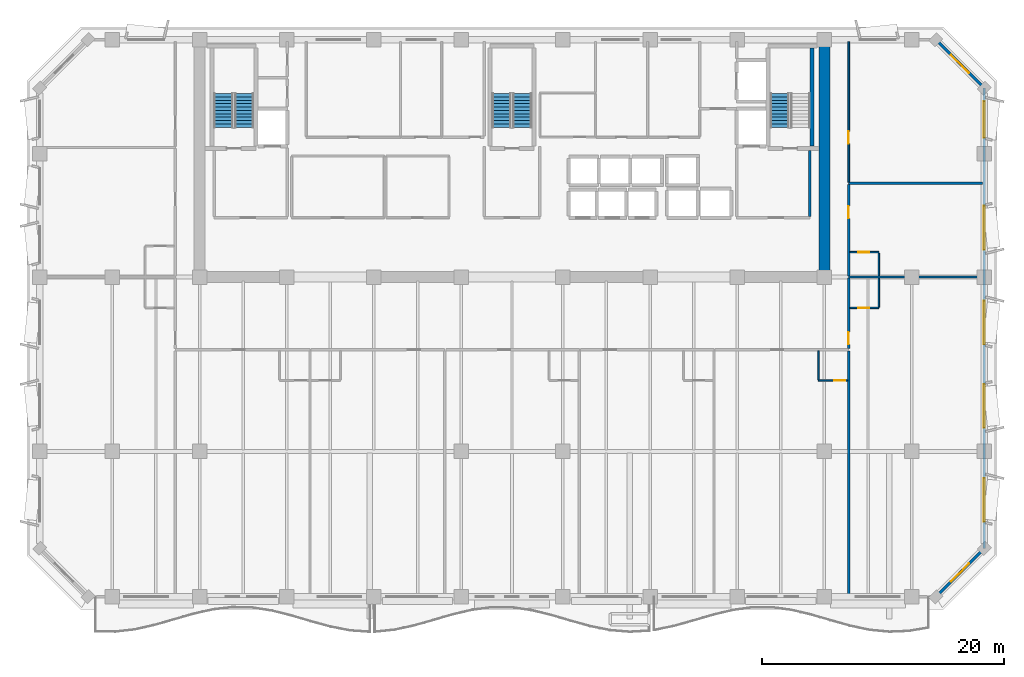
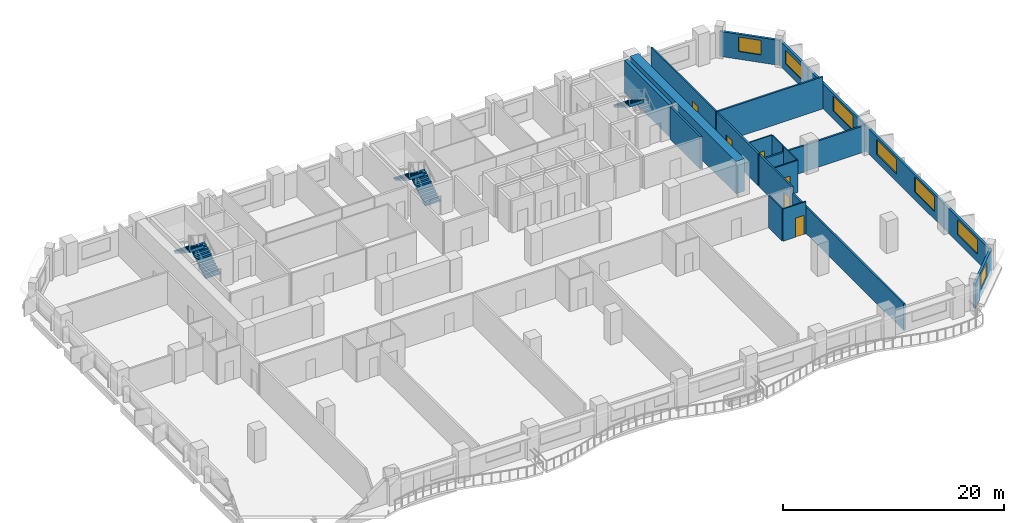
# One storey, part 8 of 14: 18 walls, 7 windows, 6 doors, 5 stair flights, 13 openings, 3 elements without a shape of their own.
"""IFC4 building model written with IfcOpenShell, lengths in metres."""

from ifc_helpers import new_model, si_unit, direction, frame, frame_2d, origin, place, context, subcontext, project, spatial, polyline, rectangle, outline, extrude, material, layer, layer_set, type_object, element, fill, aggregate, save


model = new_model("IFC4")

# Units and contexts
model_context = context("Model", 3, precision=1e-05, world=origin(), true_north=direction((0.0, 1.0)))
body_context = subcontext(model_context, "Body", "Model", "MODEL_VIEW")
ifc_project = project(units=[si_unit("LENGTHUNIT", "METRE"), si_unit("AREAUNIT", "SQUARE_METRE"), si_unit("VOLUMEUNIT", "CUBIC_METRE"), si_unit("PLANEANGLEUNIT", "RADIAN"), si_unit("MASSUNIT", "GRAM", prefix="KILO")], contexts=[model_context])

# Site, building, storey
site_placement = place(None, origin())
site = spatial("IfcSite", under=ifc_project, at=site_placement, CompositionType="ELEMENT")
building_placement = place(site_placement, origin())
building = spatial("IfcBuilding", under=site, at=building_placement, Name="Kaelvorn Grand Hotel", CompositionType="ELEMENT")
storey_placement = place(building_placement, frame((0.0, 0.0, 209.14990234375)))
storey = spatial("IfcBuildingStorey", under=building, at=storey_placement, Name="L51", CompositionType="ELEMENT", Elevation=209.14990234375)

# Wall
ifc_material_1 = material(Name="Concrete C60/75", Category="concrete")
ifc_layer_1 = layer(ifc_material_1, 0.89990234375)
ifc_layer_set_1 = layer_set([ifc_layer_1], Name="Concrete C60/75")
wall_type_1 = type_object("IfcWallType", Name="WL-CORE-900-C60", PredefinedType="SHEAR", material=ifc_layer_set_1)
wall_1_placement = place(storey_placement, frame((67.800048828125, 29.39990234375, 0.0), z_axis=(0.0, 0.0, 1.0), x_axis=(0.0, 1.0, 0.0)))
element("IfcWall", 1, at=wall_1_placement, inside=storey, type_object=wall_type_1, Name="L51 Rear-Core East Shear Wall", PredefinedType="SHEAR", context=body_context, shape_type="SweptSolid", body=[
    extrude(rectangle(XDim=19.2001953125, YDim=0.89990234375, at=frame_2d((9.60009765625, 0.0))), origin(), (0.0, 0.0, 1.0), 3.56005859375),
])

# Wall, opening, window
ifc_material_2 = material(Name="Concrete C40/50", Category="concrete")
ifc_layer_2 = layer(ifc_material_2, 0.239990234375)
ifc_layer_set_2 = layer_set([ifc_layer_2], Name="Concrete C40/50")
wall_type_2 = type_object("IfcWallType", Name="WL-EXT-240-C40", PredefinedType="SOLIDWALL", material=ifc_layer_set_2)
wall_2_placement = place(storey_placement, frame((77.0, 3.0, 0.0), z_axis=(0.0, 0.0, 1.0), x_axis=(0.707106781187, 0.707106781187, 0.0)))
wall_2 = element("IfcWall", 2, at=wall_2_placement, inside=storey, type_object=wall_type_2, Name="L51 Exterior Architectural Concrete Wall 02", PredefinedType="SOLIDWALL", context=body_context, shape_type="SweptSolid", body=[
    extrude(rectangle(XDim=5.65673828125, YDim=0.239990234375, at=frame_2d((2.828369140625, 0.0))), origin(), (0.0, 0.0, 1.0), 2.760009765625),
])
opening_1_placement = place(wall_2_placement, frame((1.7783203125, 0.0, 0.85009765625)))
opening_1 = element("IfcOpeningElement", 3, at=opening_1_placement, cuts=wall_2, Name="Opening W7", PredefinedType="OPENING", context=body_context, shape_type="SweptSolid", body=[
    extrude(rectangle(XDim=2.10009765625, YDim=1.60009765625, at=frame_2d((1.050048828125, 0.800048828125))), frame((0.0, 0.1298828125, 0.0), z_axis=(0.0, -1.0, 0.0), x_axis=(1.0, 0.0, 0.0)), (0.0, 0.0, 1.0), 0.260009765625),
])
ifc_material_3 = material(Name="Laminated Low-E Glass", Category="glass")
window_type_1 = type_object("IfcWindowType", Name="WIN-CHM-2100x1600", PartitioningType="SINGLE_PANEL", PredefinedType="WINDOW", material=ifc_material_3)
window_1_placement = place(opening_1_placement, origin())
window_1 = element("IfcWindow", 4, at=window_1_placement, inside=storey, type_object=window_type_1, Name="L51 Chamfered 45-Degree Corner Window SE", OverallHeight=1.60009765625, OverallWidth=2.10009765625, PartitioningType="SINGLE_PANEL", PredefinedType="WINDOW", context=body_context, shape_type="SweptSolid", body=[
    extrude(rectangle(XDim=2.10009765625, YDim=1.60009765625, at=frame_2d((1.050048828125, 0.800048828125))), frame((0.0, 0.030029296875, 0.0), z_axis=(0.0, -1.0, 0.0), x_axis=(1.0, 0.0, 0.0)), (0.0, 0.0, 1.0), 0.06005859375),
])
fill(opening_1, window_1)

# Wall, openings, windows
wall_3_placement = place(storey_placement, frame((81.0, 7.0, 0.0), z_axis=(0.0, 0.0, 1.0), x_axis=(0.0, 1.0, 0.0)))
wall_3 = element("IfcWall", 5, at=wall_3_placement, inside=storey, type_object=wall_type_2, Name="L51 Exterior Architectural Concrete Wall 03", PredefinedType="SOLIDWALL", context=body_context, shape_type="SweptSolid", body=[
    extrude(rectangle(XDim=38.0, YDim=0.239990234375, at=frame_2d((19.0, 0.0))), origin(), (0.0, 0.0, 1.0), 2.760009765625),
])
opening_2_placement = place(wall_3_placement, frame((2.199951171875, 0.0, 0.85009765625)))
opening_2 = element("IfcOpeningElement", 6, at=opening_2_placement, cuts=wall_3, Name="Opening W3", PredefinedType="OPENING", context=body_context, shape_type="SweptSolid", body=[
    extrude(rectangle(XDim=3.60009765625, YDim=1.64990234375, at=frame_2d((1.800048828125, 0.824951171875))), frame((0.0, 0.1298828125, 0.0), z_axis=(0.0, -1.0, 0.0), x_axis=(1.0, 0.0, 0.0)), (0.0, 0.0, 1.0), 0.260009765625),
])
opening_3_placement = place(wall_3_placement, frame((9.965087890625, 0.0, 0.85009765625)))
opening_3 = element("IfcOpeningElement", 7, at=opening_3_placement, cuts=wall_3, Name="Opening W3", PredefinedType="OPENING", context=body_context, shape_type="SweptSolid", body=[
    extrude(rectangle(XDim=3.60009765625, YDim=1.64990234375, at=frame_2d((1.800048828125, 0.824951171875))), frame((0.0, 0.1298828125, 0.0), z_axis=(0.0, -1.0, 0.0), x_axis=(1.0, 0.0, 0.0)), (0.0, 0.0, 1.0), 0.260009765625),
])
opening_4_placement = place(wall_3_placement, frame((16.8349609375, 0.0, 0.85009765625)))
opening_4 = element("IfcOpeningElement", 8, at=opening_4_placement, cuts=wall_3, Name="Opening W3", PredefinedType="OPENING", context=body_context, shape_type="SweptSolid", body=[
    extrude(rectangle(XDim=3.60009765625, YDim=1.64990234375, at=frame_2d((1.800048828125, 0.824951171875))), frame((0.0, 0.1298828125, 0.0), z_axis=(0.0, -1.0, 0.0), x_axis=(1.0, 0.0, 0.0)), (0.0, 0.0, 1.0), 0.260009765625),
])
opening_5_placement = place(wall_3_placement, frame((24.675048828125, 0.0, 0.85009765625)))
opening_5 = element("IfcOpeningElement", 9, at=opening_5_placement, cuts=wall_3, Name="Opening W3", PredefinedType="OPENING", context=body_context, shape_type="SweptSolid", body=[
    extrude(rectangle(XDim=3.60009765625, YDim=1.64990234375, at=frame_2d((1.800048828125, 0.824951171875))), frame((0.0, 0.1298828125, 0.0), z_axis=(0.0, -1.0, 0.0), x_axis=(1.0, 0.0, 0.0)), (0.0, 0.0, 1.0), 0.260009765625),
])
opening_6_placement = place(wall_3_placement, frame((33.9150390625, 0.0, 0.85009765625)))
opening_6 = element("IfcOpeningElement", 10, at=opening_6_placement, cuts=wall_3, Name="Opening W5", PredefinedType="OPENING", context=body_context, shape_type="SweptSolid", body=[
    extrude(rectangle(XDim=3.0, YDim=1.5, at=frame_2d((1.5, 0.75))), frame((0.0, 0.1298828125, 0.0), z_axis=(0.0, -1.0, 0.0), x_axis=(1.0, 0.0, 0.0)), (0.0, 0.0, 1.0), 0.260009765625),
])
window_type_2 = type_object("IfcWindowType", Name="WIN-NTH-3000x1500", PartitioningType="SINGLE_PANEL", PredefinedType="WINDOW", material=ifc_material_3)
window_2_placement = place(opening_6_placement, origin())
window_2 = element("IfcWindow", 11, at=window_2_placement, inside=storey, type_object=window_type_2, Name="L51 E Wing Tilted-Frame Ribbon Window E05", OverallHeight=1.5, OverallWidth=3.0, PartitioningType="SINGLE_PANEL", PredefinedType="WINDOW", context=body_context, shape_type="SweptSolid", body=[
    extrude(rectangle(XDim=3.0, YDim=1.5, at=frame_2d((1.5, 0.75))), frame((0.0, 0.030029296875, 0.0), z_axis=(0.0, -1.0, 0.0), x_axis=(1.0, 0.0, 0.0)), (0.0, 0.0, 1.0), 0.06005859375),
])
fill(opening_6, window_2)
window_type_3 = type_object("IfcWindowType", Name="WIN-RIB-3600x1750", PartitioningType="SINGLE_PANEL", PredefinedType="WINDOW", material=ifc_material_3)
window_3_placement = place(opening_2_placement, origin())
window_3 = element("IfcWindow", 12, at=window_3_placement, inside=storey, type_object=window_type_3, Name="L51 E Wing Tilted-Frame Ribbon Window E01", OverallHeight=1.64990234375, OverallWidth=3.60009765625, PartitioningType="SINGLE_PANEL", PredefinedType="WINDOW", context=body_context, shape_type="SweptSolid", body=[
    extrude(rectangle(XDim=3.60009765625, YDim=1.64990234375, at=frame_2d((1.800048828125, 0.824951171875))), frame((0.0, 0.030029296875, 0.0), z_axis=(0.0, -1.0, 0.0), x_axis=(1.0, 0.0, 0.0)), (0.0, 0.0, 1.0), 0.06005859375),
])
fill(opening_2, window_3)
window_4_placement = place(opening_3_placement, origin())
window_4 = element("IfcWindow", 13, at=window_4_placement, inside=storey, type_object=window_type_3, Name="L51 E Wing Tilted-Frame Ribbon Window E02", OverallHeight=1.64990234375, OverallWidth=3.60009765625, PartitioningType="SINGLE_PANEL", PredefinedType="WINDOW", context=body_context, shape_type="SweptSolid", body=[
    extrude(rectangle(XDim=3.60009765625, YDim=1.64990234375, at=frame_2d((1.800048828125, 0.824951171875))), frame((0.0, 0.030029296875, 0.0), z_axis=(0.0, -1.0, 0.0), x_axis=(1.0, 0.0, 0.0)), (0.0, 0.0, 1.0), 0.06005859375),
])
fill(opening_3, window_4)
window_5_placement = place(opening_4_placement, origin())
window_5 = element("IfcWindow", 14, at=window_5_placement, inside=storey, type_object=window_type_3, Name="L51 E Wing Tilted-Frame Ribbon Window E03", OverallHeight=1.64990234375, OverallWidth=3.60009765625, PartitioningType="SINGLE_PANEL", PredefinedType="WINDOW", context=body_context, shape_type="SweptSolid", body=[
    extrude(rectangle(XDim=3.60009765625, YDim=1.64990234375, at=frame_2d((1.800048828125, 0.824951171875))), frame((0.0, 0.030029296875, 0.0), z_axis=(0.0, -1.0, 0.0), x_axis=(1.0, 0.0, 0.0)), (0.0, 0.0, 1.0), 0.06005859375),
])
fill(opening_4, window_5)
window_6_placement = place(opening_5_placement, origin())
window_6 = element("IfcWindow", 15, at=window_6_placement, inside=storey, type_object=window_type_3, Name="L51 E Wing Tilted-Frame Ribbon Window E04", OverallHeight=1.64990234375, OverallWidth=3.60009765625, PartitioningType="SINGLE_PANEL", PredefinedType="WINDOW", context=body_context, shape_type="SweptSolid", body=[
    extrude(rectangle(XDim=3.60009765625, YDim=1.64990234375, at=frame_2d((1.800048828125, 0.824951171875))), frame((0.0, 0.030029296875, 0.0), z_axis=(0.0, -1.0, 0.0), x_axis=(1.0, 0.0, 0.0)), (0.0, 0.0, 1.0), 0.06005859375),
])
fill(opening_5, window_6)

# Wall, opening, window
wall_4_placement = place(storey_placement, frame((81.0, 45.0, 0.0), z_axis=(0.0, 0.0, 1.0), x_axis=(-0.707106781187, 0.707106781187, 0.0)))
wall_4 = element("IfcWall", 16, at=wall_4_placement, inside=storey, type_object=wall_type_2, Name="L51 Exterior Architectural Concrete Wall 04", PredefinedType="SOLIDWALL", context=body_context, shape_type="SweptSolid", body=[
    extrude(rectangle(XDim=5.65673828125, YDim=0.239990234375, at=frame_2d((2.828369140625, 0.0))), origin(), (0.0, 0.0, 1.0), 2.760009765625),
])
opening_7_placement = place(wall_4_placement, frame((1.7783203125, 0.0, 0.85009765625)))
opening_7 = element("IfcOpeningElement", 17, at=opening_7_placement, cuts=wall_4, Name="Opening W7", PredefinedType="OPENING", context=body_context, shape_type="SweptSolid", body=[
    extrude(rectangle(XDim=2.10009765625, YDim=1.60009765625, at=frame_2d((1.050048828125, 0.800048828125))), frame((0.0, 0.1298828125, 0.0), z_axis=(0.0, -1.0, 0.0), x_axis=(1.0, 0.0, 0.0)), (0.0, 0.0, 1.0), 0.260009765625),
])
window_7_placement = place(opening_7_placement, origin())
window_7 = element("IfcWindow", 18, at=window_7_placement, inside=storey, type_object=window_type_1, Name="L51 Chamfered 45-Degree Corner Window NE", OverallHeight=1.60009765625, OverallWidth=2.10009765625, PartitioningType="SINGLE_PANEL", PredefinedType="WINDOW", context=body_context, shape_type="SweptSolid", body=[
    extrude(rectangle(XDim=2.10009765625, YDim=1.60009765625, at=frame_2d((1.050048828125, 0.800048828125))), frame((0.0, 0.030029296875, 0.0), z_axis=(0.0, -1.0, 0.0), x_axis=(1.0, 0.0, 0.0)), (0.0, 0.0, 1.0), 0.06005859375),
])
fill(opening_7, window_7)

# Wall, opening, door
ifc_material_4 = material(Name="Moisture-Resistant Tile & Stud Board")
ifc_layer_3 = layer(ifc_material_4, 0.125)
ifc_layer_set_3 = layer_set([ifc_layer_3], Name="Moisture-Resistant Tile & Stud Board")
wall_type_3 = type_object("IfcWallType", Name="WL-PART-125-WET", PredefinedType="PARTITIONING", material=ifc_layer_set_3)
wall_5_placement = place(storey_placement, frame((67.300048828125, 20.85009765625, 0.0), z_axis=(0.0, 0.0, 1.0), x_axis=(1.0, 0.0, 0.0)))
wall_5 = element("IfcWall", 19, at=wall_5_placement, inside=storey, type_object=wall_type_3, Name="L51 En-suite Bathroom L51-05 S Partition", PredefinedType="PARTITIONING", context=body_context, shape_type="SweptSolid", body=[
    extrude(rectangle(XDim=2.405029296875, YDim=0.125, at=frame_2d((1.20263671875, 0.0))), origin(), (0.0, 0.0, 1.0), 3.56005859375),
])
opening_8_placement = place(wall_5_placement, frame((1.300048828125, 0.0, 0.0)))
opening_8 = element("IfcOpeningElement", 20, at=opening_8_placement, cuts=wall_5, Name="Opening DI4", PredefinedType="OPENING", context=body_context, shape_type="SweptSolid", body=[
    extrude(rectangle(XDim=0.89990234375, YDim=2.10009765625, at=frame_2d((0.449951171875, 1.050048828125))), frame((0.0, 0.072509765625, 0.0), z_axis=(0.0, -1.0, 0.0), x_axis=(1.0, 0.0, 0.0)), (0.0, 0.0, 1.0), 0.14501953125),
])
ifc_material_5 = material(Name="Timber Veneer Leaf", Category="wood")
door_type_1 = type_object("IfcDoorType", Name="DR-INT-BATH-900x2100", OperationType="NOTDEFINED", PredefinedType="DOOR", material=ifc_material_5)
door_1_placement = place(opening_8_placement, origin())
door_1 = element("IfcDoor", 21, at=door_1_placement, inside=storey, type_object=door_type_1, Name="L51 En-suite Bathroom L51-05 Door", OperationType="SINGLE_SWING_LEFT", OverallHeight=2.10009765625, OverallWidth=0.89990234375, PredefinedType="DOOR", context=body_context, shape_type="SweptSolid", body=[
    extrude(rectangle(XDim=0.89990234375, YDim=2.10009765625, at=frame_2d((0.449951171875, 1.050048828125))), frame((0.0, 0.02490234375, 0.0), z_axis=(0.0, -1.0, 0.0), x_axis=(1.0, 0.0, 0.0)), (0.0, 0.0, 1.0), 0.050048828125),
])
fill(opening_8, door_1)

# Wall
wall_6_placement = place(storey_placement, frame((67.300048828125, 20.91748046875, 0.0), z_axis=(0.0, 0.0, 1.0), x_axis=(0.0, 1.0, 0.0)))
element("IfcWall", 22, at=wall_6_placement, inside=storey, type_object=wall_type_3, Name="L51 En-suite Bathroom L51-05 W Partition", PredefinedType="PARTITIONING", context=body_context, shape_type="SweptSolid", body=[
    extrude(rectangle(XDim=2.387451171875, YDim=0.125, at=frame_2d((1.19384765625, 0.0))), origin(), (0.0, 0.0, 1.0), 3.56005859375),
])

# Wall, opening, door
wall_7_placement = place(storey_placement, frame((69.89501953125, 26.85009765625, 0.0), z_axis=(0.0, 0.0, 1.0), x_axis=(1.0, 0.0, 0.0)))
wall_7 = element("IfcWall", 23, at=wall_7_placement, inside=storey, type_object=wall_type_3, Name="L51 En-suite Bathroom L51-07 S Partition", PredefinedType="PARTITIONING", context=body_context, shape_type="SweptSolid", body=[
    extrude(rectangle(XDim=2.405029296875, YDim=0.125, at=frame_2d((1.20263671875, 0.0))), origin(), (0.0, 0.0, 1.0), 3.56005859375),
])
opening_9_placement = place(wall_7_placement, frame((0.705078125, 0.0, 0.0)))
opening_9 = element("IfcOpeningElement", 24, at=opening_9_placement, cuts=wall_7, Name="Opening DI4", PredefinedType="OPENING", context=body_context, shape_type="SweptSolid", body=[
    extrude(rectangle(XDim=0.89990234375, YDim=2.10009765625, at=frame_2d((0.449951171875, 1.050048828125))), frame((0.0, 0.072509765625, 0.0), z_axis=(0.0, -1.0, 0.0), x_axis=(1.0, 0.0, 0.0)), (0.0, 0.0, 1.0), 0.14501953125),
])
door_2_placement = place(opening_9_placement, origin())
door_2 = element("IfcDoor", 25, at=door_2_placement, inside=storey, type_object=door_type_1, Name="L51 En-suite Bathroom L51-07 Door", OperationType="SINGLE_SWING_LEFT", OverallHeight=2.10009765625, OverallWidth=0.89990234375, PredefinedType="DOOR", context=body_context, shape_type="SweptSolid", body=[
    extrude(rectangle(XDim=0.89990234375, YDim=2.10009765625, at=frame_2d((0.449951171875, 1.050048828125))), frame((0.0, 0.02490234375, 0.0), z_axis=(0.0, -1.0, 0.0), x_axis=(1.0, 0.0, 0.0)), (0.0, 0.0, 1.0), 0.050048828125),
])
fill(opening_9, door_2)

# Wall
wall_8_placement = place(storey_placement, frame((72.300048828125, 26.91748046875, 0.0), z_axis=(0.0, 0.0, 1.0), x_axis=(0.0, 1.0, 0.0)))
element("IfcWall", 26, at=wall_8_placement, inside=storey, type_object=wall_type_3, Name="L51 En-suite Bathroom L51-07 E Partition", PredefinedType="PARTITIONING", context=body_context, shape_type="SweptSolid", body=[
    extrude(rectangle(XDim=2.387451171875, YDim=0.125, at=frame_2d((1.19384765625, 0.0))), origin(), (0.0, 0.0, 1.0), 3.56005859375),
])

# Wall, opening, door
wall_9_placement = place(storey_placement, frame((69.89501953125, 31.449951171875, 0.0), z_axis=(0.0, 0.0, 1.0), x_axis=(1.0, 0.0, 0.0)))
wall_9 = element("IfcWall", 27, at=wall_9_placement, inside=storey, type_object=wall_type_3, Name="L51 En-suite Bathroom L51-09 N Partition", PredefinedType="PARTITIONING", context=body_context, shape_type="SweptSolid", body=[
    extrude(rectangle(XDim=2.405029296875, YDim=0.125, at=frame_2d((1.20263671875, 0.0))), origin(), (0.0, 0.0, 1.0), 3.56005859375),
])
opening_10_placement = place(wall_9_placement, frame((0.705078125, 0.0, 0.0)))
opening_10 = element("IfcOpeningElement", 28, at=opening_10_placement, cuts=wall_9, Name="Opening DI4", PredefinedType="OPENING", context=body_context, shape_type="SweptSolid", body=[
    extrude(rectangle(XDim=0.89990234375, YDim=2.10009765625, at=frame_2d((0.449951171875, 1.050048828125))), frame((0.0, 0.072509765625, 0.0), z_axis=(0.0, -1.0, 0.0), x_axis=(1.0, 0.0, 0.0)), (0.0, 0.0, 1.0), 0.14501953125),
])
door_3_placement = place(opening_10_placement, origin())
door_3 = element("IfcDoor", 29, at=door_3_placement, inside=storey, type_object=door_type_1, Name="L51 En-suite Bathroom L51-09 Door", OperationType="SINGLE_SWING_RIGHT", OverallHeight=2.10009765625, OverallWidth=0.89990234375, PredefinedType="DOOR", context=body_context, shape_type="SweptSolid", body=[
    extrude(rectangle(XDim=0.89990234375, YDim=2.10009765625, at=frame_2d((0.449951171875, 1.050048828125))), frame((0.0, 0.02490234375, 0.0), z_axis=(0.0, -1.0, 0.0), x_axis=(1.0, 0.0, 0.0)), (0.0, 0.0, 1.0), 0.050048828125),
])
fill(opening_10, door_3)

# Wall
wall_10_placement = place(storey_placement, frame((72.300048828125, 29.4951171875, 0.0), z_axis=(0.0, 0.0, 1.0), x_axis=(0.0, 1.0, 0.0)))
element("IfcWall", 30, at=wall_10_placement, inside=storey, type_object=wall_type_3, Name="L51 En-suite Bathroom L51-09 E Partition", PredefinedType="PARTITIONING", context=body_context, shape_type="SweptSolid", body=[
    extrude(rectangle(XDim=1.887451171875, YDim=0.125, at=frame_2d((0.94384765625, 0.0))), origin(), (0.0, 0.0, 1.0), 3.56005859375),
])

# Wall, opening, door
ifc_material_6 = material(Name="Acoustic Gypsum & Stud Partition")
ifc_layer_4 = layer(ifc_material_6, 0.14990234375)
ifc_layer_set_4 = layer_set([ifc_layer_4], Name="Acoustic Gypsum & Stud Partition")
wall_type_4 = type_object("IfcWallType", Name="WL-PART-150-EI60", PredefinedType="PARTITIONING", material=ifc_layer_set_4)
wall_11_placement = place(storey_placement, frame((69.800048828125, 37.2451171875, 0.0), z_axis=(0.0, 0.0, 1.0), x_axis=(0.0, 1.0, 0.0)))
wall_11 = element("IfcWall", 31, at=wall_11_placement, inside=storey, type_object=wall_type_4, Name="L51 North-East Summit Conference Room W Partition", PredefinedType="PARTITIONING", context=body_context, shape_type="SweptSolid", body=[
    extrude(rectangle(XDim=11.60498046875, YDim=0.14990234375, at=frame_2d((5.802490234375, 0.0))), origin(), (0.0, 0.0, 1.0), 3.56005859375),
])
opening_11_placement = place(wall_11_placement, frame((3.175048828125, 0.0, 0.0)))
opening_11 = element("IfcOpeningElement", 32, at=opening_11_placement, cuts=wall_11, Name="Opening DI3", PredefinedType="OPENING", context=body_context, shape_type="SweptSolid", body=[
    extrude(rectangle(XDim=1.0, YDim=2.14990234375, at=frame_2d((0.5, 1.074951171875))), frame((0.0, 0.0849609375, 0.0), z_axis=(0.0, -1.0, 0.0), x_axis=(1.0, 0.0, 0.0)), (0.0, 0.0, 1.0), 0.169921875),
])
ifc_material_7 = material(Name="Timber Veneer Fire Leaf", Category="wood")
door_type_2 = type_object("IfcDoorType", Name="DR-INT-GUEST-1000x2150", OperationType="NOTDEFINED", PredefinedType="DOOR", material=ifc_material_7)
door_4_placement = place(opening_11_placement, origin())
door_4 = element("IfcDoor", 33, at=door_4_placement, inside=storey, type_object=door_type_2, Name="L51 North-East Summit Conference Room Door", OperationType="SINGLE_SWING_LEFT", OverallHeight=2.14990234375, OverallWidth=1.0, PredefinedType="DOOR", context=body_context, shape_type="SweptSolid", body=[
    extrude(rectangle(XDim=1.0, YDim=2.14990234375, at=frame_2d((0.5, 1.074951171875))), frame((0.0, 0.02490234375, 0.0), z_axis=(0.0, -1.0, 0.0), x_axis=(1.0, 0.0, 0.0)), (0.0, 0.0, 1.0), 0.050048828125),
])
fill(opening_11, door_4)

# Walls
ifc_layer_5 = layer(ifc_material_6, 0.179931640625)
ifc_layer_set_5 = layer_set([ifc_layer_5], Name="Acoustic Gypsum & Stud Partition")
wall_type_5 = type_object("IfcWallType", Name="WL-PART-180-EI60", PredefinedType="PARTITIONING", material=ifc_layer_set_5)
wall_12_placement = place(storey_placement, frame((69.800048828125, 3.14990234375, 0.0), z_axis=(0.0, 0.0, 1.0), x_axis=(0.0, 1.0, 0.0)))
element("IfcWall", 34, at=wall_12_placement, inside=storey, type_object=wall_type_5, Name="L51 Mid-Rise Signature Suite L51-05 E Partition", PredefinedType="PARTITIONING", context=body_context, shape_type="SweptSolid", body=[
    extrude(rectangle(XDim=20.155029296875, YDim=0.179931640625, at=frame_2d((10.07763671875, 0.0))), origin(), (0.0, 0.0, 1.0), 2.93017578125),
])
wall_13_placement = place(storey_placement, frame((69.800048828125, 29.39990234375, 0.0), z_axis=(0.0, 0.0, 1.0), x_axis=(1.0, 0.0, 0.0)))
element("IfcWall", 35, at=wall_13_placement, inside=storey, type_object=wall_type_5, Name="L51 Presidential Sky Suite L51-07 N Partition", PredefinedType="PARTITIONING", context=body_context, shape_type="SweptSolid", body=[
    extrude(rectangle(XDim=11.050048828125, YDim=0.179931640625, at=frame_2d((5.52490234375, 0.0))), origin(), (0.0, 0.0, 1.0), 2.91015625),
])

# Wall, opening, door
wall_14_placement = place(storey_placement, frame((69.800048828125, 23.4951171875, 0.0), z_axis=(0.0, 0.0, 1.0), x_axis=(0.0, 1.0, 0.0)))
wall_14 = element("IfcWall", 36, at=wall_14_placement, inside=storey, type_object=wall_type_5, Name="L51 Presidential Sky Suite L51-07 W Partition", PredefinedType="PARTITIONING", context=body_context, shape_type="SweptSolid", body=[
    extrude(rectangle(XDim=5.809814453125, YDim=0.179931640625, at=frame_2d((2.90478515625, 0.0))), origin(), (0.0, 0.0, 1.0), 3.56005859375),
])
opening_12_placement = place(wall_14_placement, frame((0.35498046875, 0.0, 0.0)))
opening_12 = element("IfcOpeningElement", 37, at=opening_12_placement, cuts=wall_14, Name="Opening DI3", PredefinedType="OPENING", context=body_context, shape_type="SweptSolid", body=[
    extrude(rectangle(XDim=1.0, YDim=2.14990234375, at=frame_2d((0.5, 1.074951171875))), frame((0.0, 0.10009765625, 0.0), z_axis=(0.0, -1.0, 0.0), x_axis=(1.0, 0.0, 0.0)), (0.0, 0.0, 1.0), 0.199951171875),
])
door_5_placement = place(opening_12_placement, origin())
door_5 = element("IfcDoor", 38, at=door_5_placement, inside=storey, type_object=door_type_2, Name="L51 Presidential Sky Suite L51-07 Door", OperationType="SINGLE_SWING_RIGHT", OverallHeight=2.14990234375, OverallWidth=1.0, PredefinedType="DOOR", context=body_context, shape_type="SweptSolid", body=[
    extrude(rectangle(XDim=1.0, YDim=2.14990234375, at=frame_2d((0.5, 1.074951171875))), frame((0.0, 0.02490234375, 0.0), z_axis=(0.0, -1.0, 0.0), x_axis=(1.0, 0.0, 0.0)), (0.0, 0.0, 1.0), 0.050048828125),
])
fill(opening_12, door_5)

# Wall
wall_15_placement = place(storey_placement, frame((69.800048828125, 37.14990234375, 0.0), z_axis=(0.0, 0.0, 1.0), x_axis=(1.0, 0.0, 0.0)))
element("IfcWall", 39, at=wall_15_placement, inside=storey, type_object=wall_type_5, Name="L51 North-East Wing Suite L51-09 N Partition", PredefinedType="PARTITIONING", context=body_context, shape_type="SweptSolid", body=[
    extrude(rectangle(XDim=11.050048828125, YDim=0.179931640625, at=frame_2d((5.52490234375, 0.0))), origin(), (0.0, 0.0, 1.0), 3.56005859375),
])

# Wall, opening, door
wall_16_placement = place(storey_placement, frame((69.800048828125, 29.4951171875, 0.0), z_axis=(0.0, 0.0, 1.0), x_axis=(0.0, 1.0, 0.0)))
wall_16 = element("IfcWall", 40, at=wall_16_placement, inside=storey, type_object=wall_type_5, Name="L51 North-East Wing Suite L51-09 W Partition", PredefinedType="PARTITIONING", context=body_context, shape_type="SweptSolid", body=[
    extrude(rectangle(XDim=7.559814453125, YDim=0.179931640625, at=frame_2d((3.77978515625, 0.0))), origin(), (0.0, 0.0, 1.0), 3.56005859375),
])
opening_13_placement = place(wall_16_placement, frame((4.7548828125, 0.0, 0.0)))
opening_13 = element("IfcOpeningElement", 41, at=opening_13_placement, cuts=wall_16, Name="Opening DI3", PredefinedType="OPENING", context=body_context, shape_type="SweptSolid", body=[
    extrude(rectangle(XDim=1.0, YDim=2.14990234375, at=frame_2d((0.5, 1.074951171875))), frame((0.0, 0.10009765625, 0.0), z_axis=(0.0, -1.0, 0.0), x_axis=(1.0, 0.0, 0.0)), (0.0, 0.0, 1.0), 0.199951171875),
])
door_6_placement = place(opening_13_placement, origin())
door_6 = element("IfcDoor", 42, at=door_6_placement, inside=storey, type_object=door_type_2, Name="L51 North-East Wing Suite L51-09 Door", OperationType="SINGLE_SWING_LEFT", OverallHeight=2.14990234375, OverallWidth=1.0, PredefinedType="DOOR", context=body_context, shape_type="SweptSolid", body=[
    extrude(rectangle(XDim=1.0, YDim=2.14990234375, at=frame_2d((0.5, 1.074951171875))), frame((0.0, 0.02490234375, 0.0), z_axis=(0.0, -1.0, 0.0), x_axis=(1.0, 0.0, 0.0)), (0.0, 0.0, 1.0), 0.050048828125),
])
fill(opening_13, door_6)

# Walls
ifc_layer_6 = layer(ifc_material_2, 0.219970703125)
ifc_layer_set_6 = layer_set([ifc_layer_6], Name="Concrete C40/50")
wall_type_6 = type_object("IfcWallType", Name="WL-PART-220-EI120", PredefinedType="PARTITIONING", material=ifc_layer_set_6)
wall_17_placement = place(storey_placement, frame((66.60009765625, 34.4150390625, 0.0), z_axis=(0.0, 0.0, 1.0), x_axis=(0.0, 1.0, 0.0)))
element("IfcWall", 43, at=wall_17_placement, inside=storey, type_object=wall_type_6, Name="L51 Firefighting Lift Lobby 2 E Partition", PredefinedType="PARTITIONING", context=body_context, shape_type="SweptSolid", body=[
    extrude(rectangle(XDim=5.429931640625, YDim=0.219970703125, at=frame_2d((2.71484375, 0.0))), origin(), (0.0, 0.0, 1.0), 3.56005859375),
])
ifc_layer_7 = layer(ifc_material_1, 0.35009765625)
ifc_layer_set_7 = layer_set([ifc_layer_7], Name="Concrete C60/75")
wall_type_7 = type_object("IfcWallType", Name="WL-SHAFT-350-C60", PredefinedType="SHEAR", material=ifc_layer_set_7)
wall_18_placement = place(storey_placement, frame((66.77490234375, 40.205078125, 0.0), z_axis=(0.0, 0.0, 1.0), x_axis=(0.0, 1.0, 0.0)))
element("IfcWall", 44, at=wall_18_placement, inside=storey, type_object=wall_type_7, Name="L51 ST3 Stair Shaft East Wall", PredefinedType="SHEAR", context=body_context, shape_type="SweptSolid", body=[
    extrude(rectangle(XDim=8.08984375, YDim=0.35009765625, at=frame_2d((4.044921875, 0.0))), origin(), (0.0, 0.0, 1.0), 3.56005859375),
])

# Stair, stair flights
stair_type = type_object("IfcStairType", Name="STR-DOG-1560-R08", PredefinedType="HALF_TURN_STAIR", material=ifc_material_2)
stair_1_placement = place(storey_placement, origin())
stair_1 = element("IfcStair", 45, at=stair_1_placement, inside=storey, type_object=stair_type, Name="L51 West Core Exit Stair ST1", PredefinedType="HALF_TURN_STAIR")
stair_flight_type = type_object("IfcStairFlightType", Name="FLG-DOG-1560-R08", PredefinedType="STRAIGHT", material=ifc_material_2)
stair_flight_1_placement = place(storey_placement, frame((19.89990234375, 41.760009765625, 0.0), z_axis=(0.0, 0.0, 1.0), x_axis=(0.0, 1.0, 0.0)))
stair_flight_1 = element("IfcStairFlight", 46, at=stair_flight_1_placement, type_object=stair_flight_type, Name="ST1 flight 1", NumberOfRisers=11, NumberOfTreads=10, PredefinedType="STRAIGHT", RiserHeight=0.172727273, TreadLength=0.28, context=body_context, shape_type="SweptSolid", body=[
    extrude(outline(polyline([(-0.0048828125, 0.0), (-0.0048828125, 0.0400390625), (0.0, 0.172607421875), (0.280029296875, 0.172607421875), (0.280029296875, 0.345458984375), (0.56005859375, 0.345458984375), (0.56005859375, 0.51806640625), (0.840087890625, 0.51806640625), (0.840087890625, 0.69091796875), (1.1201171875, 0.69091796875), (1.1201171875, 0.863525390625), (1.39990234375, 0.863525390625), (1.39990234375, 1.036376953125), (1.679931640625, 1.036376953125), (1.679931640625, 1.208984375), (1.9599609375, 1.208984375), (1.9599609375, 1.3818359375), (2.239990234375, 1.3818359375), (2.239990234375, 1.554443359375), (2.52001953125, 1.554443359375), (2.52001953125, 1.727294921875), (2.800048828125, 1.727294921875), (2.800048828125, 1.89990234375), (2.804931640625, 1.89990234375), (2.804931640625, 1.551025390625), (0.285400390625, 0.0), (-0.0048828125, 0.0)])), frame((0.0, 0.780029296875, 0.0), z_axis=(0.0, -1.0, 0.0), x_axis=(1.0, 0.0, 0.0)), (0.0, 0.0, 1.0), 1.56005859375),
])
stair_flight_2_placement = place(storey_placement, frame((18.179931640625, 44.56005859375, 1.900146484375), z_axis=(0.0, 0.0, 1.0), x_axis=(0.0, -1.0, 0.0)))
stair_flight_2 = element("IfcStairFlight", 47, at=stair_flight_2_placement, type_object=stair_flight_type, Name="ST1 flight 2", NumberOfRisers=11, NumberOfTreads=10, PredefinedType="STRAIGHT", RiserHeight=0.172727273, TreadLength=0.28, context=body_context, shape_type="SweptSolid", body=[
    extrude(outline(polyline([(-0.0048828125, 0.0), (-0.0048828125, 0.0400390625), (0.0, 0.172607421875), (0.280029296875, 0.172607421875), (0.280029296875, 0.345458984375), (0.56005859375, 0.345458984375), (0.56005859375, 0.51806640625), (0.840087890625, 0.51806640625), (0.840087890625, 0.69091796875), (1.1201171875, 0.69091796875), (1.1201171875, 0.863525390625), (1.39990234375, 0.863525390625), (1.39990234375, 1.036376953125), (1.679931640625, 1.036376953125), (1.679931640625, 1.208984375), (1.9599609375, 1.208984375), (1.9599609375, 1.3818359375), (2.239990234375, 1.3818359375), (2.239990234375, 1.554443359375), (2.52001953125, 1.554443359375), (2.52001953125, 1.727294921875), (2.800048828125, 1.727294921875), (2.800048828125, 1.89990234375), (2.804931640625, 1.89990234375), (2.804931640625, 1.551025390625), (0.285400390625, 0.0), (-0.0048828125, 0.0)])), frame((0.0, 0.780029296875, 0.0), z_axis=(0.0, -1.0, 0.0), x_axis=(1.0, 0.0, 0.0)), (0.0, 0.0, 1.0), 1.56005859375),
])
aggregate(stair_1, [stair_flight_1, stair_flight_2])

stair_2_placement = place(storey_placement, origin())
stair_2 = element("IfcStair", 48, at=stair_2_placement, inside=storey, type_object=stair_type, Name="L51 Central Core Exit Stair ST2", PredefinedType="HALF_TURN_STAIR")
stair_flight_3_placement = place(storey_placement, frame((42.860107421875, 41.760009765625, 0.0), z_axis=(0.0, 0.0, 1.0), x_axis=(0.0, 1.0, 0.0)))
stair_flight_3 = element("IfcStairFlight", 49, at=stair_flight_3_placement, type_object=stair_flight_type, Name="ST2 flight 1", NumberOfRisers=11, NumberOfTreads=10, PredefinedType="STRAIGHT", RiserHeight=0.172727273, TreadLength=0.28, context=body_context, shape_type="SweptSolid", body=[
    extrude(outline(polyline([(-0.0048828125, 0.0), (-0.0048828125, 0.0400390625), (0.0, 0.172607421875), (0.280029296875, 0.172607421875), (0.280029296875, 0.345458984375), (0.56005859375, 0.345458984375), (0.56005859375, 0.51806640625), (0.840087890625, 0.51806640625), (0.840087890625, 0.69091796875), (1.1201171875, 0.69091796875), (1.1201171875, 0.863525390625), (1.39990234375, 0.863525390625), (1.39990234375, 1.036376953125), (1.679931640625, 1.036376953125), (1.679931640625, 1.208984375), (1.9599609375, 1.208984375), (1.9599609375, 1.3818359375), (2.239990234375, 1.3818359375), (2.239990234375, 1.554443359375), (2.52001953125, 1.554443359375), (2.52001953125, 1.727294921875), (2.800048828125, 1.727294921875), (2.800048828125, 1.89990234375), (2.804931640625, 1.89990234375), (2.804931640625, 1.551025390625), (0.285400390625, 0.0), (-0.0048828125, 0.0)])), frame((0.0, 0.780029296875, 0.0), z_axis=(0.0, -1.0, 0.0), x_axis=(1.0, 0.0, 0.0)), (0.0, 0.0, 1.0), 1.56005859375),
])
stair_flight_4_placement = place(storey_placement, frame((41.139892578125, 44.56005859375, 1.900146484375), z_axis=(0.0, 0.0, 1.0), x_axis=(0.0, -1.0, 0.0)))
stair_flight_4 = element("IfcStairFlight", 50, at=stair_flight_4_placement, type_object=stair_flight_type, Name="ST2 flight 2", NumberOfRisers=11, NumberOfTreads=10, PredefinedType="STRAIGHT", RiserHeight=0.172727273, TreadLength=0.28, context=body_context, shape_type="SweptSolid", body=[
    extrude(outline(polyline([(-0.0048828125, 0.0), (-0.0048828125, 0.0400390625), (0.0, 0.172607421875), (0.280029296875, 0.172607421875), (0.280029296875, 0.345458984375), (0.56005859375, 0.345458984375), (0.56005859375, 0.51806640625), (0.840087890625, 0.51806640625), (0.840087890625, 0.69091796875), (1.1201171875, 0.69091796875), (1.1201171875, 0.863525390625), (1.39990234375, 0.863525390625), (1.39990234375, 1.036376953125), (1.679931640625, 1.036376953125), (1.679931640625, 1.208984375), (1.9599609375, 1.208984375), (1.9599609375, 1.3818359375), (2.239990234375, 1.3818359375), (2.239990234375, 1.554443359375), (2.52001953125, 1.554443359375), (2.52001953125, 1.727294921875), (2.800048828125, 1.727294921875), (2.800048828125, 1.89990234375), (2.804931640625, 1.89990234375), (2.804931640625, 1.551025390625), (0.285400390625, 0.0), (-0.0048828125, 0.0)])), frame((0.0, 0.780029296875, 0.0), z_axis=(0.0, -1.0, 0.0), x_axis=(1.0, 0.0, 0.0)), (0.0, 0.0, 1.0), 1.56005859375),
])
aggregate(stair_2, [stair_flight_3, stair_flight_4])

# Stair, stair flight
stair_3_placement = place(storey_placement, origin())
stair_3 = element("IfcStair", 51, at=stair_3_placement, inside=storey, type_object=stair_type, Name="L51 East Core Exit Stair ST3", PredefinedType="HALF_TURN_STAIR")
stair_flight_5_placement = place(storey_placement, frame((64.10009765625, 44.56005859375, 1.900146484375), z_axis=(0.0, 0.0, 1.0), x_axis=(0.0, -1.0, 0.0)))
stair_flight_5 = element("IfcStairFlight", 52, at=stair_flight_5_placement, type_object=stair_flight_type, Name="ST3 flight 2", NumberOfRisers=11, NumberOfTreads=10, PredefinedType="STRAIGHT", RiserHeight=0.172727273, TreadLength=0.28, context=body_context, shape_type="SweptSolid", body=[
    extrude(outline(polyline([(-0.0048828125, 0.0), (-0.0048828125, 0.0400390625), (0.0, 0.172607421875), (0.280029296875, 0.172607421875), (0.280029296875, 0.345458984375), (0.56005859375, 0.345458984375), (0.56005859375, 0.51806640625), (0.840087890625, 0.51806640625), (0.840087890625, 0.69091796875), (1.1201171875, 0.69091796875), (1.1201171875, 0.863525390625), (1.39990234375, 0.863525390625), (1.39990234375, 1.036376953125), (1.679931640625, 1.036376953125), (1.679931640625, 1.208984375), (1.9599609375, 1.208984375), (1.9599609375, 1.3818359375), (2.239990234375, 1.3818359375), (2.239990234375, 1.554443359375), (2.52001953125, 1.554443359375), (2.52001953125, 1.727294921875), (2.800048828125, 1.727294921875), (2.800048828125, 1.89990234375), (2.804931640625, 1.89990234375), (2.804931640625, 1.551025390625), (0.285400390625, 0.0), (-0.0048828125, 0.0)])), frame((0.0, 0.780029296875, 0.0), z_axis=(0.0, -1.0, 0.0), x_axis=(1.0, 0.0, 0.0)), (0.0, 0.0, 1.0), 1.56005859375),
])
aggregate(stair_3, [stair_flight_5])

save(model, "model.ifc")
